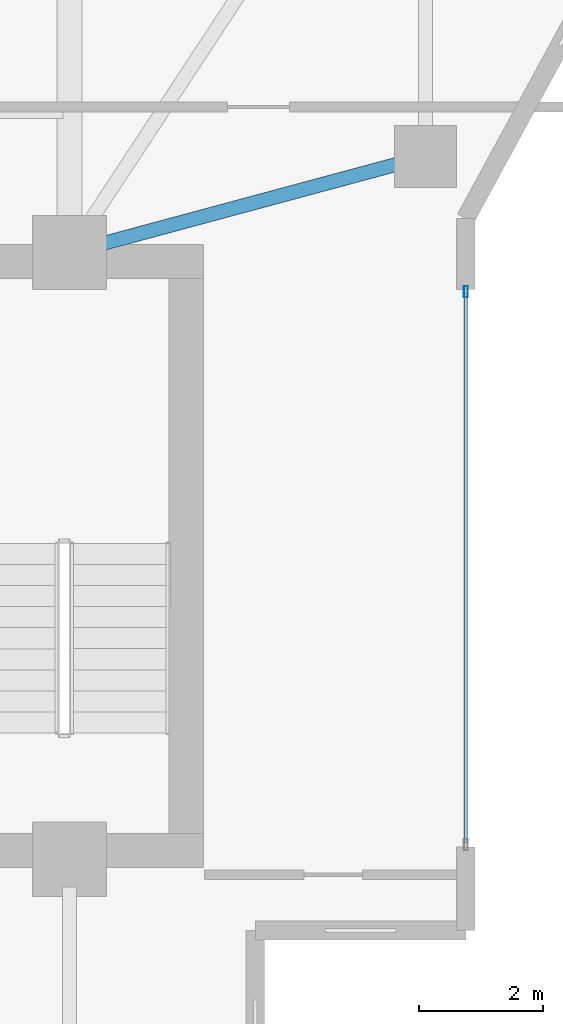
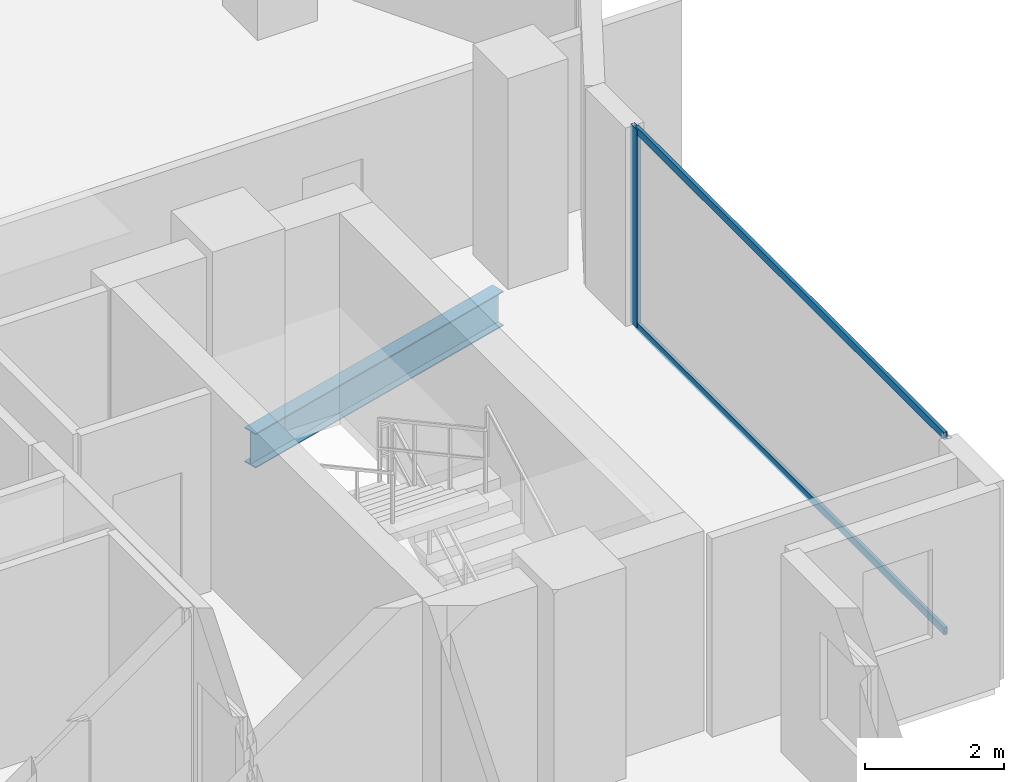
# One storey, part 9 of 26: 3 members, 1 beam, 1 element without a shape of its own.
"""IFC4 building model written with IfcOpenShell, lengths in metres."""

from ifc_helpers import new_model, si_unit, direction, frame, origin, origin_2d, place, context, subcontext, project, spatial, hollow_rectangle, i_section, extrude, material, layer, layer_set, material_profile, profile_set, type_object, element, aggregate, save


model = new_model("IFC4")

# Units and contexts
model_context = context("Model", 3, precision=1e-05, world=origin(), true_north=direction((0.0, 1.0)))
body_context = subcontext(model_context, "Body", "Model", "MODEL_VIEW")
ifc_project = project(units=[si_unit("LENGTHUNIT", "METRE"), si_unit("AREAUNIT", "SQUARE_METRE"), si_unit("VOLUMEUNIT", "CUBIC_METRE"), si_unit("PLANEANGLEUNIT", "RADIAN"), si_unit("MASSUNIT", "GRAM", prefix="KILO")], contexts=[model_context])

# Site, building, storey
site_placement = place(None, origin())
site = spatial("IfcSite", under=ifc_project, at=site_placement, CompositionType="ELEMENT")
building_placement = place(site_placement, origin())
building = spatial("IfcBuilding", under=site, at=building_placement, Name="Zuhayl Quay Hotel", CompositionType="ELEMENT")
storey_placement = place(building_placement, frame((0.0, 0.0, 247.050048828125)))
storey = spatial("IfcBuildingStorey", under=building, at=storey_placement, Name="L62", CompositionType="ELEMENT", Elevation=247.050048828125)

# Beam
ifc_material_1 = material(Name="Steel ASTM A992 Grade 50", Category="steel")
ifc_material_profile_1 = material_profile(ifc_material_1, i_section(OverallWidth=0.22802734375, OverallDepth=0.60693359375, WebThickness=0.01123046875, FlangeThickness=0.017333984375, at=origin_2d()), Name="W24X76")
ifc_profile_set_1 = profile_set([ifc_material_profile_1], Name="Steel ASTM A992 Grade 50")
beam_type = type_object("IfcBeamType", Name="BM_B3_W24X76", PredefinedType="BEAM", material=ifc_profile_set_1)
beam_placement = place(storey_placement, frame((14.234619140625, 14.467041015625, -0.5234375), z_axis=(0.965530205773, 0.26029103277, 0.0), x_axis=(-0.26029103277, 0.965530205773, 0.0)))
element("IfcBeam", 1, at=beam_placement, inside=storey, type_object=beam_type, Name="L62 Floor Beam FG_E_L62_1", PredefinedType="BEAM", context=body_context, shape_type="SweptSolid", body=[
    extrude(i_section(OverallWidth=0.22802734375, OverallDepth=0.60693359375, WebThickness=0.01123046875, FlangeThickness=0.017333984375, at=origin_2d()), origin(), (0.0, 0.0, 1.0), 5.045166015625),
])

# Curtain wall, members
ifc_material_2 = material(Name="Anodised Aluminium 6063-T6", Category="aluminium")
ifc_layer = layer(ifc_material_2, 0.169921875, Name="Anodised Aluminium 6063-T6", Category="aluminium")
ifc_layer_set = layer_set([ifc_layer], Name="Anodised Aluminium 6063-T6")
curtain_wall_type = type_object("IfcCurtainWallType", Name="CW_SYS_Z4", PredefinedType="USERDEFINED", material=ifc_layer_set)
curtain_wall_placement = place(storey_placement, origin())
curtain_wall = element("IfcCurtainWall", 2, at=curtain_wall_placement, inside=storey, type_object=curtain_wall_type, Name="L62 Curtain Wall ENV_L62_E14_CW1", ObjectType="UNITISED CURTAIN WALL", PredefinedType="USERDEFINED")
ifc_material_3 = material(Name="Black-anodised aluminium 6063-T6", Category="aluminium")
ifc_material_profile_2 = material_profile(ifc_material_3, hollow_rectangle(XDim=0.06494140625, YDim=0.179931640625, WallThickness=0.00341796875, at=origin_2d()), Name="ALU180X65")
ifc_profile_set_2 = profile_set([ifc_material_profile_2], Name="Black-anodised aluminium 6063-T6")
member_type_1 = type_object("IfcMemberType", Name="MB_CW_MUL_180", PredefinedType="MULLION", material=ifc_profile_set_2)
member_1_placement = place(storey_placement, frame((20.199951171875, 13.717529296875, 0.0), z_axis=(0.0, 0.0, 1.0), x_axis=(1.0, 0.0, 0.0)))
member_1 = element("IfcMember", 3, at=member_1_placement, type_object=member_type_1, Name="CW-Z4 mullion 1", PredefinedType="MULLION", context=body_context, shape_type="SweptSolid", body=[
    extrude(hollow_rectangle(XDim=0.06494140625, YDim=0.179931640625, WallThickness=0.00341796875, at=origin_2d()), origin(), (0.0, 0.0, 1.0), 3.47998046875),
])
ifc_material_profile_3 = material_profile(ifc_material_3, hollow_rectangle(XDim=0.054931640625, YDim=0.1298828125, WallThickness=0.0029296875, at=origin_2d()), Name="ALU130X55")
ifc_profile_set_3 = profile_set([ifc_material_profile_3], Name="Black-anodised aluminium 6063-T6")
member_type_2 = type_object("IfcMemberType", Name="MB_CW_TRN_130", PredefinedType="USERDEFINED", material=ifc_profile_set_3)
member_2_placement = place(storey_placement, frame((20.199951171875, 13.68505859375, 0.02734375), z_axis=(0.0, -1.0, 0.0), x_axis=(1.0, 0.0, 0.0)))
member_2 = element("IfcMember", 4, at=member_2_placement, type_object=member_type_2, Name="CW-Z4 transom 1.1", ObjectType="TRANSOM", PredefinedType="USERDEFINED", context=body_context, shape_type="SweptSolid", body=[
    extrude(hollow_rectangle(XDim=0.054931640625, YDim=0.1298828125, WallThickness=0.0029296875, at=origin_2d()), origin(), (0.0, 0.0, 1.0), 8.8701171875),
])
member_3_placement = place(storey_placement, frame((20.199951171875, 13.68505859375, 3.452392578125), z_axis=(0.0, -1.0, 0.0), x_axis=(1.0, 0.0, 0.0)))
member_3 = element("IfcMember", 5, at=member_3_placement, type_object=member_type_2, Name="CW-Z4 transom 1.2", ObjectType="TRANSOM", PredefinedType="USERDEFINED", context=body_context, shape_type="SweptSolid", body=[
    extrude(hollow_rectangle(XDim=0.054931640625, YDim=0.1298828125, WallThickness=0.0029296875, at=origin_2d()), origin(), (0.0, 0.0, 1.0), 8.8701171875),
])
aggregate(curtain_wall, [member_1, member_2, member_3])

save(model, "model.ifc")
